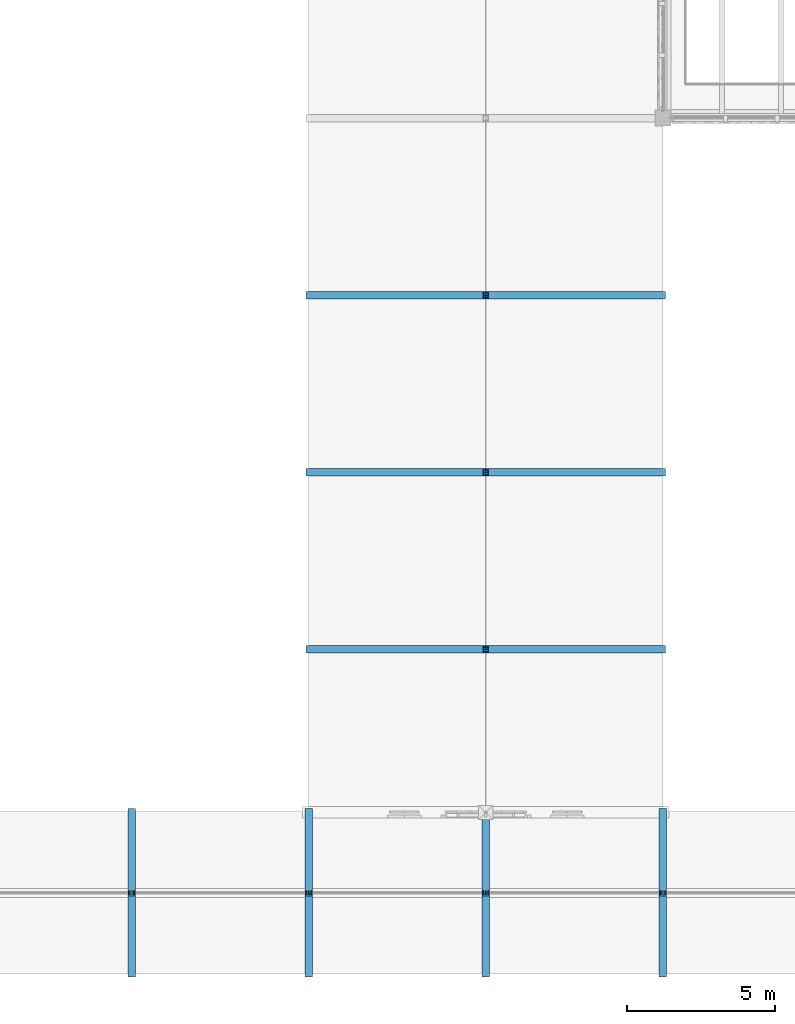
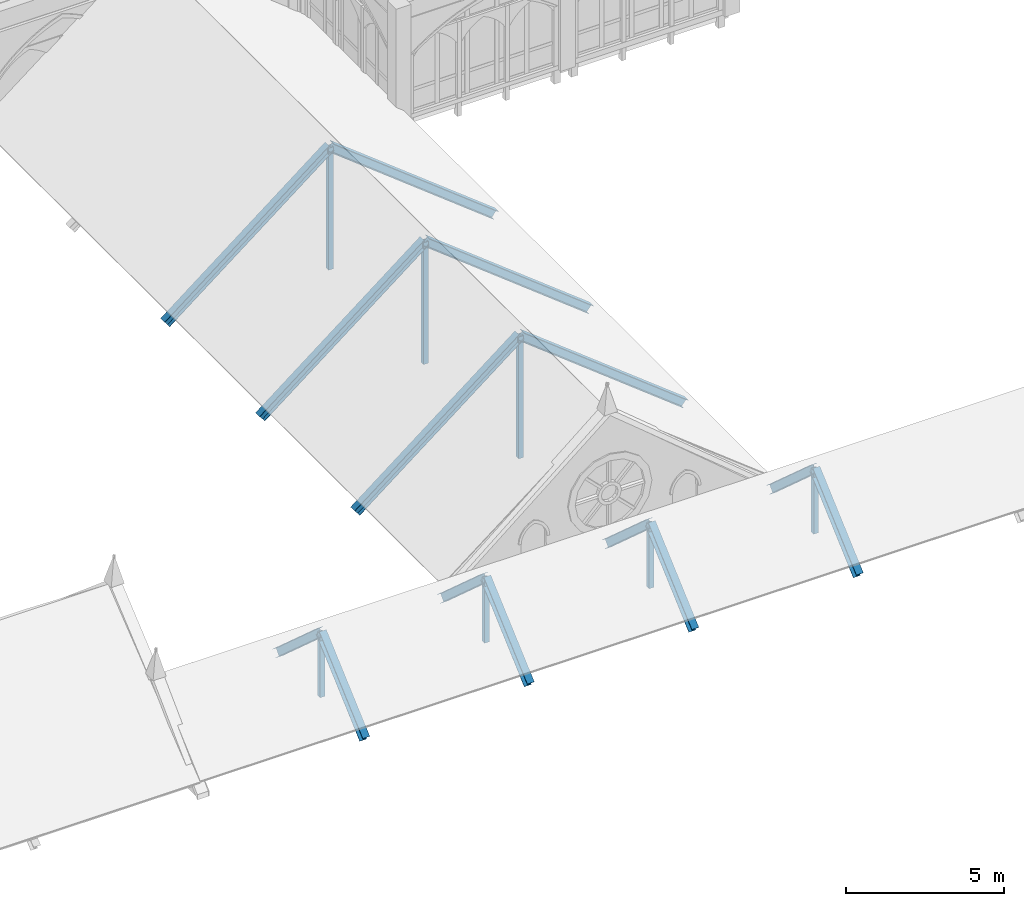
# One storey, part 10 of 108: 21 members.
"""IFC4 building model written with IfcOpenShell, lengths in metres."""

from ifc_helpers import new_model, si_unit, direction, frame, origin, origin_2d, place, context, subcontext, project, spatial, hollow_rectangle, i_section, extrude, material, material_profile, profile_set, type_object, element, save


model = new_model("IFC4")

# Units and contexts
model_context = context("Model", 3, precision=1e-05, world=origin(), true_north=direction((0.0, 1.0)))
body_context = subcontext(model_context, "Body", "Model", "MODEL_VIEW")
ifc_project = project(units=[si_unit("LENGTHUNIT", "METRE"), si_unit("AREAUNIT", "SQUARE_METRE"), si_unit("VOLUMEUNIT", "CUBIC_METRE"), si_unit("PLANEANGLEUNIT", "RADIAN"), si_unit("MASSUNIT", "GRAM", prefix="KILO")], contexts=[model_context])

# Site, building, storey
site_placement = place(None, origin())
site = spatial("IfcSite", under=ifc_project, at=site_placement, CompositionType="ELEMENT")
building_placement = place(site_placement, origin())
building = spatial("IfcBuilding", under=site, at=building_placement, Name="Cumevento Cable Car Station", CompositionType="ELEMENT")
storey_placement = place(building_placement, frame((0.0, 0.0, 13.5)))
storey = spatial("IfcBuildingStorey", under=building, at=storey_placement, Name="L04", CompositionType="ELEMENT", Elevation=13.5)

# Members
ifc_material_1 = material(Name="Steel ASTM A572 Grade 50", Category="steel")
ifc_material_profile_1 = material_profile(ifc_material_1, hollow_rectangle(XDim=0.179931640625, YDim=0.179931640625, WallThickness=0.010009765625, at=origin_2d()), Name="HSS180x180x10.0")
ifc_profile_set_1 = profile_set([ifc_material_profile_1], Name="Steel ASTM A572 Grade 50")
member_type_1 = type_object("IfcMemberType", Name="Framing Brace BR-01 HSS180x180x10.0", PredefinedType="BRACE", material=ifc_profile_set_1)
for number, where, z_axis, x_axis, name in (
    (1, (52.0, 6.75, 0.0), (0.0, 0.0, 1.0), (1.0, 0.0, 0.0), "Wing B_V1b King Post #682"),
    (2, (58.0, 6.75, 0.0), (0.0, 0.0, 1.0), (1.0, 0.0, 0.0), "Wing B_V1b King Post #685"),
    (3, (64.0, 6.75, 0.0), (0.0, 0.0, 1.0), (1.0, 0.0, 0.0), "Wing B_V1b King Post #688"),
    (4, (70.0, 6.75, 0.0), (0.0, 0.0, 1.0), (1.0, 0.0, 0.0), "Wing B_V1b King Post #691"),
):
    element("IfcMember", number, at=place(storey_placement, frame(where, z_axis=z_axis, x_axis=x_axis)), inside=storey, type_object=member_type_1, Name=name, PredefinedType="BRACE", context=body_context, shape_type="SweptSolid", body=[
        extrude(hollow_rectangle(XDim=0.179931640625, YDim=0.179931640625, WallThickness=0.010009765625, at=origin_2d()), origin(), (0.0, 0.0, 1.0), 2.449951171875),
    ])
for number, where, z_axis, x_axis, name in (
    (5, (64.0, 15.0, 0.0), (0.0, 0.0, 1.0), (1.0, 0.0, 0.0), "Wing B_V2b King Post #697"),
    (6, (64.0, 21.0, 0.0), (0.0, 0.0, 1.0), (1.0, 0.0, 0.0), "Wing B_V2b King Post #700"),
    (7, (64.0, 27.0, 0.0), (0.0, 0.0, 1.0), (1.0, 0.0, 0.0), "Wing B_V2b King Post #703"),
):
    element("IfcMember", number, at=place(storey_placement, frame(where, z_axis=z_axis, x_axis=x_axis)), inside=storey, type_object=member_type_1, Name=name, PredefinedType="BRACE", context=body_context, shape_type="SweptSolid", body=[
        extrude(hollow_rectangle(XDim=0.179931640625, YDim=0.179931640625, WallThickness=0.010009765625, at=origin_2d()), origin(), (0.0, 0.0, 1.0), 4.699951171875),
    ])
ifc_material_2 = material(Name="Steel ASTM A572 Grade 50", Category="steel")
ifc_material_profile_2 = material_profile(ifc_material_2, i_section(OverallWidth=0.25390625, OverallDepth=0.305908203125, WebThickness=0.0087890625, FlangeThickness=0.0146484375, at=origin_2d()), Name="W310x79.0")
ifc_profile_set_2 = profile_set([ifc_material_profile_2], Name="Steel ASTM A572 Grade 50")
member_type_2 = type_object("IfcMemberType", Name="Framing Chord TC-03 W310x79.0", PredefinedType="CHORD", material=ifc_profile_set_2)
for number, where, z_axis, x_axis, name in (
    (8, (52.0, 4.0, 0.0), (0.0, 0.746666427997, 0.665198651008), (-1.0, 0.0, 0.0), "Wing B_V1b Rafter #683"),
    (9, (52.0, 9.5, 0.0), (0.0, -0.746666427997, 0.665198651008), (1.0, 0.0, 0.0), "Wing B_V1b Rafter #684"),
    (10, (58.0, 4.0, 0.0), (0.0, 0.746666427997, 0.665198651008), (-1.0, 0.0, 0.0), "Wing B_V1b Rafter #686"),
    (11, (58.0, 9.5, 0.0), (0.0, -0.746666427997, 0.665198651008), (1.0, 0.0, 0.0), "Wing B_V1b Rafter #687"),
    (12, (64.0, 4.0, 0.0), (0.0, 0.746666427997, 0.665198651008), (-1.0, 0.0, 0.0), "Wing B_V1b Rafter #689"),
    (13, (64.0, 9.5, 0.0), (0.0, -0.746666427997, 0.665198651008), (1.0, 0.0, 0.0), "Wing B_V1b Rafter #690"),
    (14, (70.0, 4.0, 0.0), (0.0, 0.746666427997, 0.665198651008), (-1.0, 0.0, 0.0), "Wing B_V1b Rafter #692"),
    (15, (70.0, 9.5, 0.0), (0.0, -0.746666427997, 0.665198651008), (1.0, 0.0, 0.0), "Wing B_V1b Rafter #693"),
):
    element("IfcMember", number, at=place(storey_placement, frame(where, z_axis=z_axis, x_axis=x_axis)), inside=storey, type_object=member_type_2, Name=name, PredefinedType="CHORD", context=body_context, shape_type="SweptSolid", body=[
        extrude(i_section(OverallWidth=0.25390625, OverallDepth=0.305908203125, WebThickness=0.0087890625, FlangeThickness=0.0146484375, at=origin_2d()), origin(), (0.0, 0.0, 1.0), 3.68310546875),
    ])
for number, where, z_axis, x_axis, name in (
    (16, (58.0, 15.0, 0.0), (0.787231163579, 0.0, 0.616658004967), (0.0, 1.0, 0.0), "Wing B_V2b Rafter #698"),
    (17, (70.0, 15.0, 0.0), (-0.787231163579, 0.0, 0.616658004967), (0.0, -1.0, 0.0), "Wing B_V2b Rafter #699"),
    (18, (58.0, 21.0, 0.0), (0.787231163579, 0.0, 0.616658004967), (0.0, 1.0, 0.0), "Wing B_V2b Rafter #701"),
    (19, (70.0, 21.0, 0.0), (-0.787231163579, 0.0, 0.616658004967), (0.0, -1.0, 0.0), "Wing B_V2b Rafter #702"),
    (20, (58.0, 27.0, 0.0), (0.787231163579, 0.0, 0.616658004967), (0.0, 1.0, 0.0), "Wing B_V2b Rafter #704"),
    (21, (70.0, 27.0, 0.0), (-0.787231163579, 0.0, 0.616658004967), (0.0, -1.0, 0.0), "Wing B_V2b Rafter #705"),
):
    element("IfcMember", number, at=place(storey_placement, frame(where, z_axis=z_axis, x_axis=x_axis)), inside=storey, type_object=member_type_2, Name=name, PredefinedType="CHORD", context=body_context, shape_type="SweptSolid", body=[
        extrude(i_section(OverallWidth=0.25390625, OverallDepth=0.305908203125, WebThickness=0.0087890625, FlangeThickness=0.0146484375, at=origin_2d()), origin(), (0.0, 0.0, 1.0), 7.62158203125),
    ])

save(model, "model.ifc")
